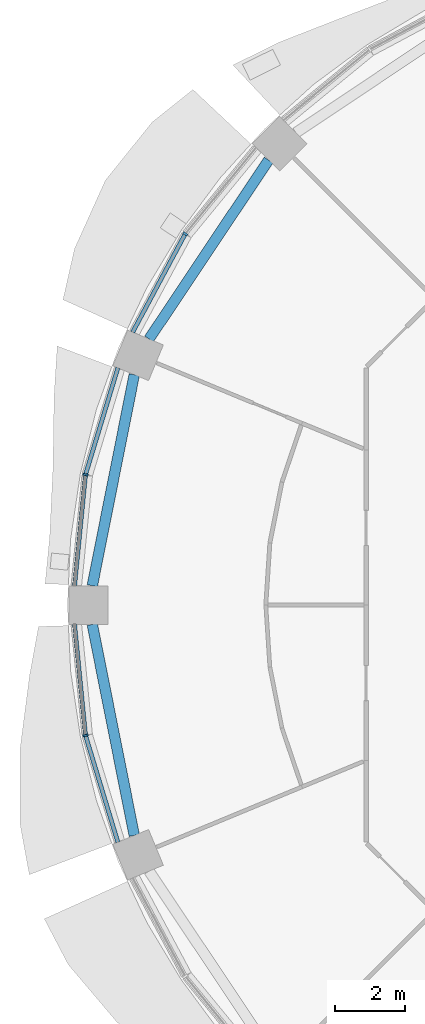
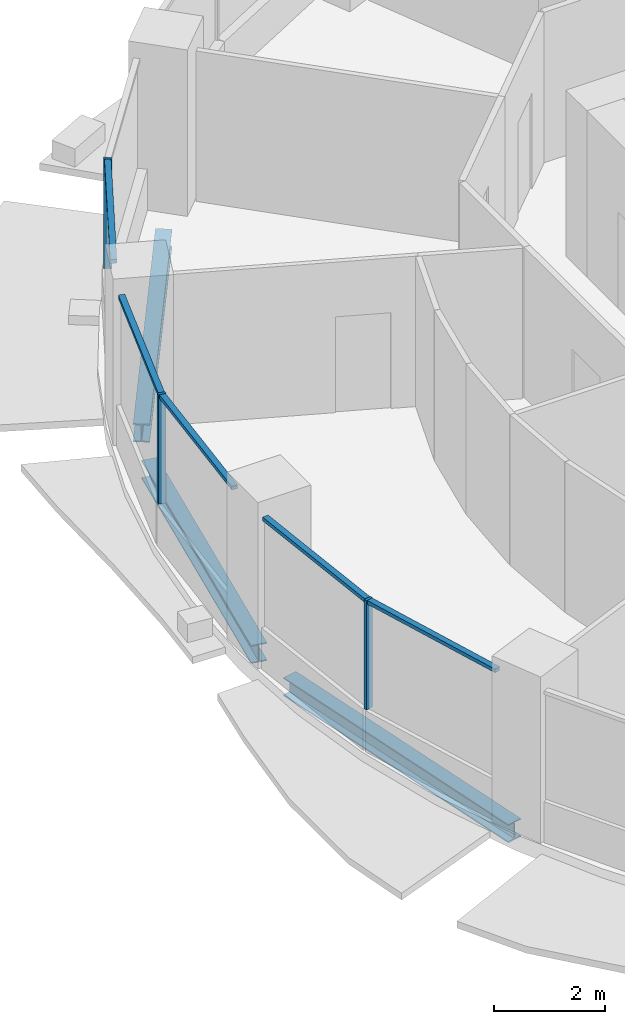
# One storey, part 3 of 14: 8 members, 3 beams, 3 elements without a shape of their own.
"""IFC4 building model written with IfcOpenShell, lengths in metres."""

from ifc_helpers import new_model, si_unit, direction, frame, origin, origin_2d, place, context, subcontext, project, spatial, rectangle, i_section, extrude, material, material_profile, profile_set, type_object, element, aggregate, save


model = new_model("IFC4")

# Units and contexts
model_context = context("Model", 3, precision=1e-05, world=origin(), true_north=direction((0.0, 1.0)))
body_context = subcontext(model_context, "Body", "Model", "MODEL_VIEW")
ifc_project = project(units=[si_unit("LENGTHUNIT", "METRE"), si_unit("AREAUNIT", "SQUARE_METRE"), si_unit("VOLUMEUNIT", "CUBIC_METRE"), si_unit("PLANEANGLEUNIT", "RADIAN"), si_unit("MASSUNIT", "GRAM", prefix="KILO")], contexts=[model_context])

# Site, building, storey
site_placement = place(None, origin())
site = spatial("IfcSite", under=ifc_project, at=site_placement, CompositionType="ELEMENT")
building_placement = place(site_placement, origin())
building = spatial("IfcBuilding", under=site, at=building_placement, Name="Polderwave Tower", CompositionType="ELEMENT")
storey_placement = place(building_placement, frame((0.0, 0.0, 105.60009765625)))
storey = spatial("IfcBuildingStorey", under=building, at=storey_placement, Name="L27", CompositionType="ELEMENT", Elevation=105.60009765625)

# Curtain wall, member
ifc_material_1 = material(Name="Aluminium 6063-T6 and glass", Category="aluminium")
curtain_wall_type = type_object("IfcCurtainWallType", Name="Growing floor ribbon glazing wall", PredefinedType="NOTDEFINED", material=ifc_material_1)
curtain_wall_1_placement = place(storey_placement, origin())
curtain_wall_1 = element("IfcCurtainWall", 1, at=curtain_wall_1_placement, inside=storey, type_object=curtain_wall_type, Name="CW2 L27 06", PredefinedType="NOTDEFINED")
ifc_material_2 = material(Name="Aluminium 6063-T6", Category="aluminium")
ifc_material_profile_1 = material_profile(ifc_material_2, rectangle(XDim=0.14990234375, YDim=0.06005859375, at=origin_2d()), Name="AL 60x150")
ifc_profile_set_1 = profile_set([ifc_material_profile_1], Name="Aluminium 6063-T6")
member_type_1 = type_object("IfcMemberType", Name="Growing floor ribbon glazing mullion 60x150", PredefinedType="MULLION", material=ifc_profile_set_1)
member_1_placement = place(storey_placement, frame((-15.822998046875, 10.572998046875, 0.89990234375), z_axis=(0.0, 0.0, 1.0), x_axis=(0.831459915646, -0.555584744817, 0.0)))
member_1 = element("IfcMember", 2, at=member_1_placement, type_object=member_type_1, Name="CW2 mullion 1", PredefinedType="MULLION", context=body_context, shape_type="SweptSolid", body=[
    extrude(rectangle(XDim=0.14990234375, YDim=0.06005859375, at=origin_2d()), origin(), (0.0, 0.0, 1.0), 2.39990234375),
])

curtain_wall_2_placement = place(storey_placement, origin())
curtain_wall_2 = element("IfcCurtainWall", 3, at=curtain_wall_2_placement, inside=storey, type_object=curtain_wall_type, Name="CW2 L27 07", PredefinedType="NOTDEFINED")
member_2_placement = place(storey_placement, frame((-18.6640625, 3.712890625, 0.89990234375), z_axis=(0.0, 0.0, 1.0), x_axis=(0.980784939905, -0.195092033809, 0.0)))
member_2 = element("IfcMember", 4, at=member_2_placement, type_object=member_type_1, Name="CW2 mullion 1", PredefinedType="MULLION", context=body_context, shape_type="SweptSolid", body=[
    extrude(rectangle(XDim=0.14990234375, YDim=0.06005859375, at=origin_2d()), origin(), (0.0, 0.0, 1.0), 2.39990234375),
])

curtain_wall_3_placement = place(storey_placement, origin())
curtain_wall_3 = element("IfcCurtainWall", 5, at=curtain_wall_3_placement, inside=storey, type_object=curtain_wall_type, Name="CW2 L27 08", PredefinedType="NOTDEFINED")
member_3_placement = place(storey_placement, frame((-18.6640625, -3.712890625, 0.89990234375), z_axis=(0.0, 0.0, 1.0), x_axis=(0.980784939905, 0.195092033809, 0.0)))
member_3 = element("IfcMember", 6, at=member_3_placement, type_object=member_type_1, Name="CW2 mullion 1", PredefinedType="MULLION", context=body_context, shape_type="SweptSolid", body=[
    extrude(rectangle(XDim=0.14990234375, YDim=0.06005859375, at=origin_2d()), origin(), (0.0, 0.0, 1.0), 2.39990234375),
])

# Member
ifc_material_profile_2 = material_profile(ifc_material_2, rectangle(XDim=0.1201171875, YDim=0.080078125, at=origin_2d()), Name="AL 80x120")
ifc_profile_set_2 = profile_set([ifc_material_profile_2], Name="Aluminium 6063-T6")
member_type_2 = type_object("IfcMemberType", Name="Growing floor ribbon glazing transom 80x120", PredefinedType="USERDEFINED", material=ifc_profile_set_2)
member_4_placement = place(storey_placement, frame((-15.837158203125, 10.54638671875, 3.260009765625), z_axis=(-0.471368950997, -0.88193611562, 0.0), x_axis=(0.88193611562, -0.471368950997, 0.0)))
member_4 = element("IfcMember", 7, at=member_4_placement, type_object=member_type_2, Name="CW2 transom 2", ObjectType="TRANSOM", PredefinedType="USERDEFINED", context=body_context, shape_type="SweptSolid", body=[
    extrude(rectangle(XDim=0.1201171875, YDim=0.080078125, at=origin_2d()), origin(), (0.0, 0.0, 1.0), 3.14794921875),
])

aggregate(curtain_wall_1, [member_1, member_4])

member_5_placement = place(storey_placement, frame((-17.741943359375, 6.75390625, 3.260009765625), z_axis=(-0.290164540356, -0.956976770627, 0.0), x_axis=(0.956976770627, -0.290164540356, 0.0)))
member_5 = element("IfcMember", 8, at=member_5_placement, type_object=member_type_2, Name="CW2 transom 1", ObjectType="TRANSOM", PredefinedType="USERDEFINED", context=body_context, shape_type="SweptSolid", body=[
    extrude(rectangle(XDim=0.1201171875, YDim=0.080078125, at=origin_2d()), origin(), (0.0, 0.0, 1.0), 3.147705078125),
])

member_6_placement = place(storey_placement, frame((-18.6669921875, 3.68310546875, 3.260009765625), z_axis=(-0.098175338745, -0.995169132792, 0.0), x_axis=(0.995169132792, -0.098175338745, 0.0)))
member_6 = element("IfcMember", 9, at=member_6_placement, type_object=member_type_2, Name="CW2 transom 2", ObjectType="TRANSOM", PredefinedType="USERDEFINED", context=body_context, shape_type="SweptSolid", body=[
    extrude(rectangle(XDim=0.1201171875, YDim=0.080078125, at=origin_2d()), origin(), (0.0, 0.0, 1.0), 3.148193359375),
])

aggregate(curtain_wall_2, [member_2, member_5, member_6])

member_7_placement = place(storey_placement, frame((-18.97607421875, -0.550048828125, 3.260009765625), z_axis=(0.098175338745, -0.995169132792, 0.0), x_axis=(0.995169132792, 0.098175338745, 0.0)))
member_7 = element("IfcMember", 10, at=member_7_placement, type_object=member_type_2, Name="CW2 transom 1", ObjectType="TRANSOM", PredefinedType="USERDEFINED", context=body_context, shape_type="SweptSolid", body=[
    extrude(rectangle(XDim=0.1201171875, YDim=0.080078125, at=origin_2d()), origin(), (0.0, 0.0, 1.0), 3.148193359375),
])

member_8_placement = place(storey_placement, frame((-18.6552734375, -3.74169921875, 3.260009765625), z_axis=(0.290164540356, -0.956976770627, 0.0), x_axis=(0.956976770627, 0.290164540356, 0.0)))
member_8 = element("IfcMember", 11, at=member_8_placement, type_object=member_type_2, Name="CW2 transom 2", ObjectType="TRANSOM", PredefinedType="USERDEFINED", context=body_context, shape_type="SweptSolid", body=[
    extrude(rectangle(XDim=0.1201171875, YDim=0.080078125, at=origin_2d()), origin(), (0.0, 0.0, 1.0), 3.147705078125),
])

aggregate(curtain_wall_3, [member_3, member_7, member_8])

# Beams
ifc_material_3 = material(Name="Steel S355", Category="steel")
ifc_material_profile_3 = material_profile(ifc_material_3, i_section(OverallWidth=0.300048828125, OverallDepth=0.39990234375, WebThickness=0.013427734375, FlangeThickness=0.02392578125, at=origin_2d()), Name="HE 400 B")
ifc_profile_set_3 = profile_set([ifc_material_profile_3], Name="Steel S355")
beam_type = type_object("IfcBeamType", Name="RING BEAM HE 400 B", PredefinedType="BEAM", material=ifc_profile_set_3)
beam_placement = place(storey_placement, frame((-13.44970703125, 12.671875, -0.550048828125), z_axis=(-0.555554909675, -0.83147985083, 0.0), x_axis=(0.83147985083, -0.555554909675, 0.0)))
element("IfcBeam", 12, at=beam_placement, inside=storey, type_object=beam_type, Name="ST-RB-L27-06", PredefinedType="BEAM", context=body_context, shape_type="SweptSolid", body=[
    extrude(i_section(OverallWidth=0.300048828125, OverallDepth=0.39990234375, WebThickness=0.013427734375, FlangeThickness=0.02392578125, at=origin_2d()), origin(), (0.0, 0.0, 1.0), 6.128173828125),
])
for number, where, z_axis, x_axis, name in (
    (13, (-17.275146484375, 6.560302734375, -0.550048828125), (-0.195097041699, -0.980783943751, 0.0), (0.980783943751, -0.195097041699, 0.0), "ST-RB-L27-07"),
    (14, (-18.470703125, -0.550048828125, -0.550048828125), (0.195097041699, -0.980783943751, 0.0), (0.980783943751, 0.195097041699, 0.0), "ST-RB-L27-08"),
):
    element("IfcBeam", number, at=place(storey_placement, frame(where, z_axis=z_axis, x_axis=x_axis)), inside=storey, type_object=beam_type, Name=name, PredefinedType="BEAM", context=body_context, shape_type="SweptSolid", body=[
        extrude(i_section(OverallWidth=0.300048828125, OverallDepth=0.39990234375, WebThickness=0.013427734375, FlangeThickness=0.02392578125, at=origin_2d()), origin(), (0.0, 0.0, 1.0), 6.1279296875),
    ])

save(model, "model.ifc")
